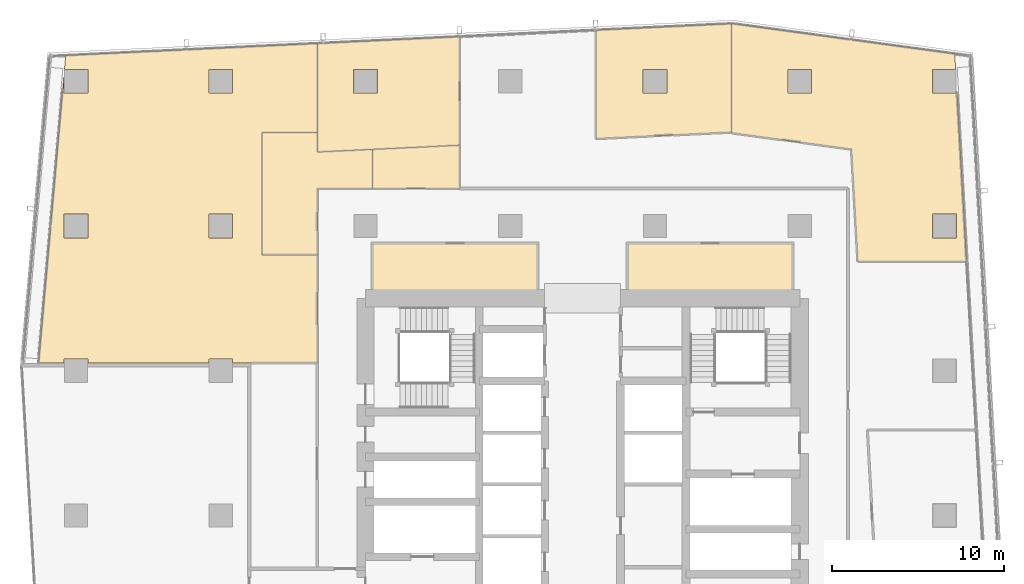
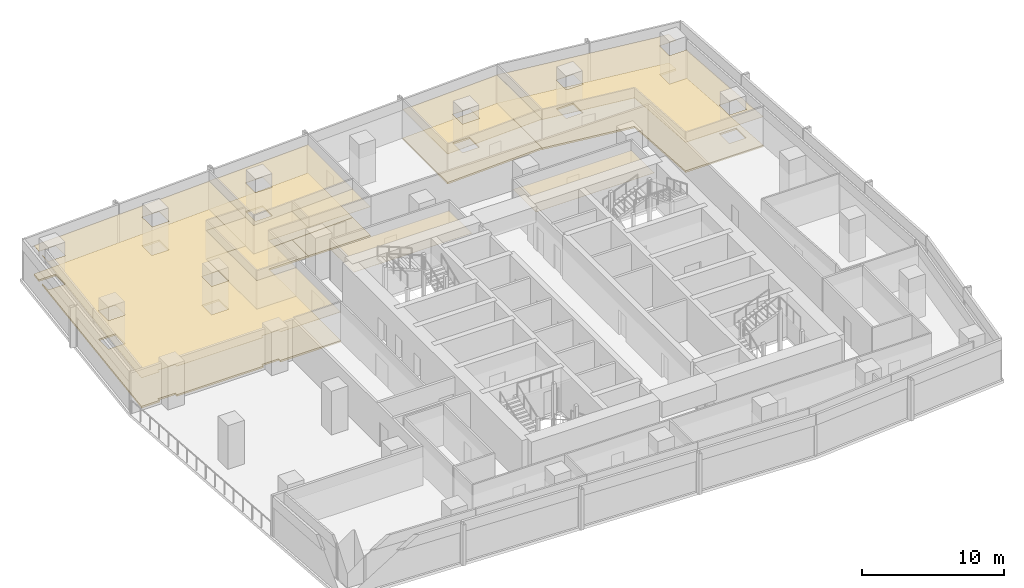
# One storey, part 39 of 39: 14 coverings.
"""IFC4 building model written with IfcOpenShell, lengths in metres."""

from ifc_helpers import new_model, si_unit, direction, frame, origin, place, context, subcontext, project, spatial, polyline, outline, extrude, material, layer, layer_set, type_object, element, save


model = new_model("IFC4")

# Units and contexts
model_context = context("Model", 3, precision=1e-05, world=origin(), true_north=direction((0.0, 1.0)))
body_context = subcontext(model_context, "Body", "Model", "MODEL_VIEW")
ifc_project = project(units=[si_unit("LENGTHUNIT", "METRE"), si_unit("AREAUNIT", "SQUARE_METRE"), si_unit("VOLUMEUNIT", "CUBIC_METRE"), si_unit("PLANEANGLEUNIT", "RADIAN"), si_unit("MASSUNIT", "GRAM", prefix="KILO")], contexts=[model_context])

# Site, building, storey
site_placement = place(None, origin())
site = spatial("IfcSite", under=ifc_project, at=site_placement, CompositionType="ELEMENT")
building_placement = place(site_placement, origin())
building = spatial("IfcBuilding", under=site, at=building_placement, Name="Rekha Terrace Tower", CompositionType="ELEMENT")
storey_placement = place(building_placement, frame((0.0, 0.0, 221.449951171875)))
storey = spatial("IfcBuildingStorey", under=building, at=storey_placement, Name="L56", CompositionType="ELEMENT", Elevation=221.449951171875)

# Coverings
ifc_material_1 = material(Name="Mineral fibre tile in exposed grid", Category="finish")
ifc_layer_1 = layer(ifc_material_1, 0.02001953125)
ifc_layer_set_1 = layer_set([ifc_layer_1], Name="Mineral fibre tile in exposed grid")
covering_type_1 = type_object("IfcCoveringType", Name="CL1 600x1200 office grid ceiling", PredefinedType="CEILING", material=ifc_layer_set_1)
covering_1_placement = place(storey_placement, frame((0.0, 0.0, 2.580078125)))
element("IfcCovering", 1, at=covering_1_placement, inside=storey, type_object=covering_type_1, Name="Ceiling L56-05", PredefinedType="CEILING", context=body_context, shape_type="SweptSolid", body=[
    extrude(outline(polyline([(58.110107421875, 59.489990234375), (59.443115234375, 59.489990234375), (59.39208984375, 60.39208984375), (46.445068359375, 62.154052734375), (46.445068359375, 55.7958984375), (53.39599609375, 54.85009765625), (53.76611328125, 48.33203125), (60.075927734375, 48.33203125), (59.51611328125, 58.2099609375), (59.489990234375, 58.208984375), (59.489990234375, 58.110107421875), (58.110107421875, 58.110107421875), (58.110107421875, 59.489990234375)]), holes=[polyline([(59.489990234375, 51.090087890625), (59.489990234375, 49.7099609375), (58.110107421875, 49.7099609375), (58.110107421875, 51.090087890625), (59.489990234375, 51.090087890625)]), polyline([(51.090087890625, 58.110107421875), (49.7099609375, 58.110107421875), (49.7099609375, 59.489990234375), (51.090087890625, 59.489990234375), (51.090087890625, 58.110107421875)])]), origin(), (0.0, 0.0, 1.0), 0.02001953125),
])
covering_2_placement = place(storey_placement, frame((0.0, 0.0, 2.580078125)))
element("IfcCovering", 2, at=covering_2_placement, inside=storey, type_object=covering_type_1, Name="Ceiling L56-06", PredefinedType="CEILING", context=body_context, shape_type="SweptSolid", body=[
    extrude(outline(polyline([(46.444091796875, 62.14697265625), (38.571044921875, 61.77099609375), (38.571044921875, 55.464111328125), (46.444091796875, 55.840087890625), (46.444091796875, 62.14697265625)]), holes=[polyline([(42.68994140625, 59.489990234375), (42.68994140625, 58.110107421875), (41.31005859375, 58.110107421875), (41.31005859375, 59.489990234375), (42.68994140625, 59.489990234375)])]), origin(), (0.0, 0.0, 1.0), 0.02001953125),
])
covering_3_placement = place(storey_placement, frame((0.0, 0.0, 2.580078125)))
element("IfcCovering", 3, at=covering_3_placement, inside=storey, type_object=covering_type_1, Name="Ceiling L56-07", PredefinedType="CEILING", context=body_context, shape_type="SweptSolid", body=[
    extrude(outline(polyline([(30.660888671875, 55.0859375), (30.660888671875, 61.39306640625), (22.40087890625, 60.998046875), (22.40087890625, 54.69091796875), (30.660888671875, 55.0859375)]), holes=[polyline([(25.889892578125, 58.110107421875), (24.510009765625, 58.110107421875), (24.510009765625, 59.489990234375), (25.889892578125, 59.489990234375), (25.889892578125, 58.110107421875)])]), origin(), (0.0, 0.0, 1.0), 0.02001953125),
])
covering_4_placement = place(storey_placement, frame((0.0, 0.0, 2.580078125)))
element("IfcCovering", 4, at=covering_4_placement, inside=storey, type_object=covering_type_1, Name="Ceiling L56-09", PredefinedType="CEILING", context=body_context, shape_type="SweptSolid", body=[
    extrude(outline(polyline([(22.40087890625, 60.998046875), (14.842041015625, 60.636962890625), (7.801025390625, 60.300048828125), (7.72900390625, 59.489990234375), (9.090087890625, 59.489990234375), (9.090087890625, 58.110107421875), (7.7099609375, 58.110107421875), (7.7099609375, 59.00390625), (7.68701171875, 59.0048828125), (6.839111328125, 49.407958984375), (6.571044921875, 46.373046875), (6.22607421875, 42.4609375), (7.7099609375, 42.4609375), (7.7099609375, 42.68994140625), (9.090087890625, 42.68994140625), (9.090087890625, 42.4609375), (13.406005859375, 42.4599609375), (16.110107421875, 42.4599609375), (16.110107421875, 42.68994140625), (17.489990234375, 42.68994140625), (17.489990234375, 42.4599609375), (22.39990234375, 42.4599609375), (22.39990234375, 48.72900390625), (19.199951171875, 48.72900390625), (19.199951171875, 55.8291015625), (22.40087890625, 55.8291015625), (22.40087890625, 60.998046875)]), holes=[polyline([(17.489990234375, 51.090087890625), (17.489990234375, 49.7099609375), (16.110107421875, 49.7099609375), (16.110107421875, 51.090087890625), (17.489990234375, 51.090087890625)]), polyline([(17.489990234375, 59.489990234375), (17.489990234375, 58.110107421875), (16.110107421875, 58.110107421875), (16.110107421875, 59.489990234375), (17.489990234375, 59.489990234375)]), polyline([(9.090087890625, 49.7099609375), (7.7099609375, 49.7099609375), (7.7099609375, 51.090087890625), (9.090087890625, 51.090087890625), (9.090087890625, 49.7099609375)])]), origin(), (0.0, 0.0, 1.0), 0.02001953125),
])
covering_5_placement = place(storey_placement, frame((0.0, 0.0, 2.580078125)))
element("IfcCovering", 5, at=covering_5_placement, inside=storey, type_object=covering_type_1, Name="Ceiling L56-12", PredefinedType="CEILING", context=body_context, shape_type="SweptSolid", body=[
    extrude(outline(polyline([(22.39990234375, 52.574951171875), (25.60009765625, 52.574951171875), (25.60009765625, 54.843994140625), (22.40087890625, 54.69091796875), (22.40087890625, 55.8291015625), (19.199951171875, 55.8291015625), (19.199951171875, 48.72900390625), (22.39990234375, 48.72900390625), (22.39990234375, 52.574951171875)])), origin(), (0.0, 0.0, 1.0), 0.02001953125),
])
covering_6_placement = place(storey_placement, frame((0.0, 0.0, 2.580078125)))
element("IfcCovering", 6, at=covering_6_placement, inside=storey, type_object=covering_type_1, Name="Ceiling L56-13", PredefinedType="CEILING", context=body_context, shape_type="SweptSolid", body=[
    extrude(outline(polyline([(25.60009765625, 54.843994140625), (25.60009765625, 52.574951171875), (30.660888671875, 52.574951171875), (30.660888671875, 55.0859375), (25.60009765625, 54.843994140625)])), origin(), (0.0, 0.0, 1.0), 0.02001953125),
])
ifc_material_2 = material(Name="Fibre cement board", Category="finish")
ifc_layer_2 = layer(ifc_material_2, 0.014892578125)
ifc_layer_set_2 = layer_set([ifc_layer_2], Name="Fibre cement board")
covering_type_2 = type_object("IfcCoveringType", Name="CL2 moisture-resistant board ceiling", PredefinedType="CEILING", material=ifc_layer_set_2)
covering_7_placement = place(storey_placement, frame((0.0, 0.0, 2.5849609375)))
element("IfcCovering", 7, at=covering_7_placement, inside=storey, type_object=covering_type_2, Name="Ceiling L56-WCF", PredefinedType="CEILING", context=body_context, shape_type="SweptSolid", body=[
    extrude(outline(polyline([(50.0, 49.39990234375), (40.39990234375, 49.39990234375), (40.39990234375, 46.199951171875), (50.0, 46.199951171875), (50.0, 49.39990234375)])), origin(), (0.0, 0.0, 1.0), 0.01513671875),
])
covering_8_placement = place(storey_placement, frame((0.0, 0.0, 2.5849609375)))
element("IfcCovering", 8, at=covering_8_placement, inside=storey, type_object=covering_type_2, Name="Ceiling L56-WCF2", PredefinedType="CEILING", context=body_context, shape_type="SweptSolid", body=[
    extrude(outline(polyline([(35.199951171875, 49.39990234375), (25.60009765625, 49.39990234375), (25.60009765625, 46.199951171875), (35.199951171875, 46.199951171875), (35.199951171875, 49.39990234375)])), origin(), (0.0, 0.0, 1.0), 0.01513671875),
])
ifc_material_3 = material(Name="Calcium sulphate panels on steel pedestals", Category="steel")
ifc_layer_3 = layer(ifc_material_3, 0.14990234375)
ifc_layer_set_3 = layer_set([ifc_layer_3], Name="Calcium sulphate panels on steel pedestals")
covering_type_3 = type_object("IfcCoveringType", Name="RF1 150 raised access floor", PredefinedType="FLOORING", material=ifc_layer_set_3)
covering_9_placement = place(storey_placement, origin())
element("IfcCovering", 9, at=covering_9_placement, inside=storey, type_object=covering_type_3, Name="Raised floor L56-05", PredefinedType="FLOORING", context=body_context, shape_type="SweptSolid", body=[
    extrude(outline(polyline([(58.110107421875, 59.489990234375), (59.443115234375, 59.489990234375), (59.39208984375, 60.39208984375), (46.445068359375, 62.154052734375), (46.445068359375, 55.7958984375), (53.39599609375, 54.85009765625), (53.76611328125, 48.33203125), (60.075927734375, 48.33203125), (59.51611328125, 58.2099609375), (59.489990234375, 58.208984375), (59.489990234375, 58.110107421875), (58.110107421875, 58.110107421875), (58.110107421875, 59.489990234375)]), holes=[polyline([(59.489990234375, 51.090087890625), (59.489990234375, 49.7099609375), (58.110107421875, 49.7099609375), (58.110107421875, 51.090087890625), (59.489990234375, 51.090087890625)]), polyline([(51.090087890625, 58.110107421875), (49.7099609375, 58.110107421875), (49.7099609375, 59.489990234375), (51.090087890625, 59.489990234375), (51.090087890625, 58.110107421875)])]), origin(), (0.0, 0.0, 1.0), 0.150146484375),
])
covering_10_placement = place(storey_placement, origin())
element("IfcCovering", 10, at=covering_10_placement, inside=storey, type_object=covering_type_3, Name="Raised floor L56-06", PredefinedType="FLOORING", context=body_context, shape_type="SweptSolid", body=[
    extrude(outline(polyline([(46.444091796875, 62.14697265625), (38.571044921875, 61.77099609375), (38.571044921875, 55.464111328125), (46.444091796875, 55.840087890625), (46.444091796875, 62.14697265625)]), holes=[polyline([(42.68994140625, 59.489990234375), (42.68994140625, 58.110107421875), (41.31005859375, 58.110107421875), (41.31005859375, 59.489990234375), (42.68994140625, 59.489990234375)])]), origin(), (0.0, 0.0, 1.0), 0.150146484375),
])
covering_11_placement = place(storey_placement, origin())
element("IfcCovering", 11, at=covering_11_placement, inside=storey, type_object=covering_type_3, Name="Raised floor L56-07", PredefinedType="FLOORING", context=body_context, shape_type="SweptSolid", body=[
    extrude(outline(polyline([(30.660888671875, 55.0859375), (30.660888671875, 61.39306640625), (22.40087890625, 60.998046875), (22.40087890625, 54.69091796875), (30.660888671875, 55.0859375)]), holes=[polyline([(25.889892578125, 58.110107421875), (24.510009765625, 58.110107421875), (24.510009765625, 59.489990234375), (25.889892578125, 59.489990234375), (25.889892578125, 58.110107421875)])]), origin(), (0.0, 0.0, 1.0), 0.150146484375),
])
covering_12_placement = place(storey_placement, origin())
element("IfcCovering", 12, at=covering_12_placement, inside=storey, type_object=covering_type_3, Name="Raised floor L56-09", PredefinedType="FLOORING", context=body_context, shape_type="SweptSolid", body=[
    extrude(outline(polyline([(22.40087890625, 60.998046875), (14.842041015625, 60.636962890625), (7.801025390625, 60.300048828125), (7.72900390625, 59.489990234375), (9.090087890625, 59.489990234375), (9.090087890625, 58.110107421875), (7.7099609375, 58.110107421875), (7.7099609375, 59.00390625), (7.68701171875, 59.0048828125), (6.839111328125, 49.407958984375), (6.571044921875, 46.373046875), (6.22607421875, 42.4609375), (7.7099609375, 42.4609375), (7.7099609375, 42.68994140625), (9.090087890625, 42.68994140625), (9.090087890625, 42.4609375), (13.406005859375, 42.4599609375), (16.110107421875, 42.4599609375), (16.110107421875, 42.68994140625), (17.489990234375, 42.68994140625), (17.489990234375, 42.4599609375), (22.39990234375, 42.4599609375), (22.39990234375, 48.72900390625), (19.199951171875, 48.72900390625), (19.199951171875, 55.8291015625), (22.40087890625, 55.8291015625), (22.40087890625, 60.998046875)]), holes=[polyline([(17.489990234375, 51.090087890625), (17.489990234375, 49.7099609375), (16.110107421875, 49.7099609375), (16.110107421875, 51.090087890625), (17.489990234375, 51.090087890625)]), polyline([(17.489990234375, 59.489990234375), (17.489990234375, 58.110107421875), (16.110107421875, 58.110107421875), (16.110107421875, 59.489990234375), (17.489990234375, 59.489990234375)]), polyline([(9.090087890625, 49.7099609375), (7.7099609375, 49.7099609375), (7.7099609375, 51.090087890625), (9.090087890625, 51.090087890625), (9.090087890625, 49.7099609375)])]), origin(), (0.0, 0.0, 1.0), 0.150146484375),
])
covering_13_placement = place(storey_placement, origin())
element("IfcCovering", 13, at=covering_13_placement, inside=storey, type_object=covering_type_3, Name="Raised floor L56-12", PredefinedType="FLOORING", context=body_context, shape_type="SweptSolid", body=[
    extrude(outline(polyline([(22.39990234375, 52.574951171875), (25.60009765625, 52.574951171875), (25.60009765625, 54.843994140625), (22.40087890625, 54.69091796875), (22.40087890625, 55.8291015625), (19.199951171875, 55.8291015625), (19.199951171875, 48.72900390625), (22.39990234375, 48.72900390625), (22.39990234375, 52.574951171875)])), origin(), (0.0, 0.0, 1.0), 0.150146484375),
])
covering_14_placement = place(storey_placement, origin())
element("IfcCovering", 14, at=covering_14_placement, inside=storey, type_object=covering_type_3, Name="Raised floor L56-13", PredefinedType="FLOORING", context=body_context, shape_type="SweptSolid", body=[
    extrude(outline(polyline([(25.60009765625, 54.843994140625), (25.60009765625, 52.574951171875), (30.660888671875, 52.574951171875), (30.660888671875, 55.0859375), (25.60009765625, 54.843994140625)])), origin(), (0.0, 0.0, 1.0), 0.150146484375),
])

save(model, "model.ifc")
